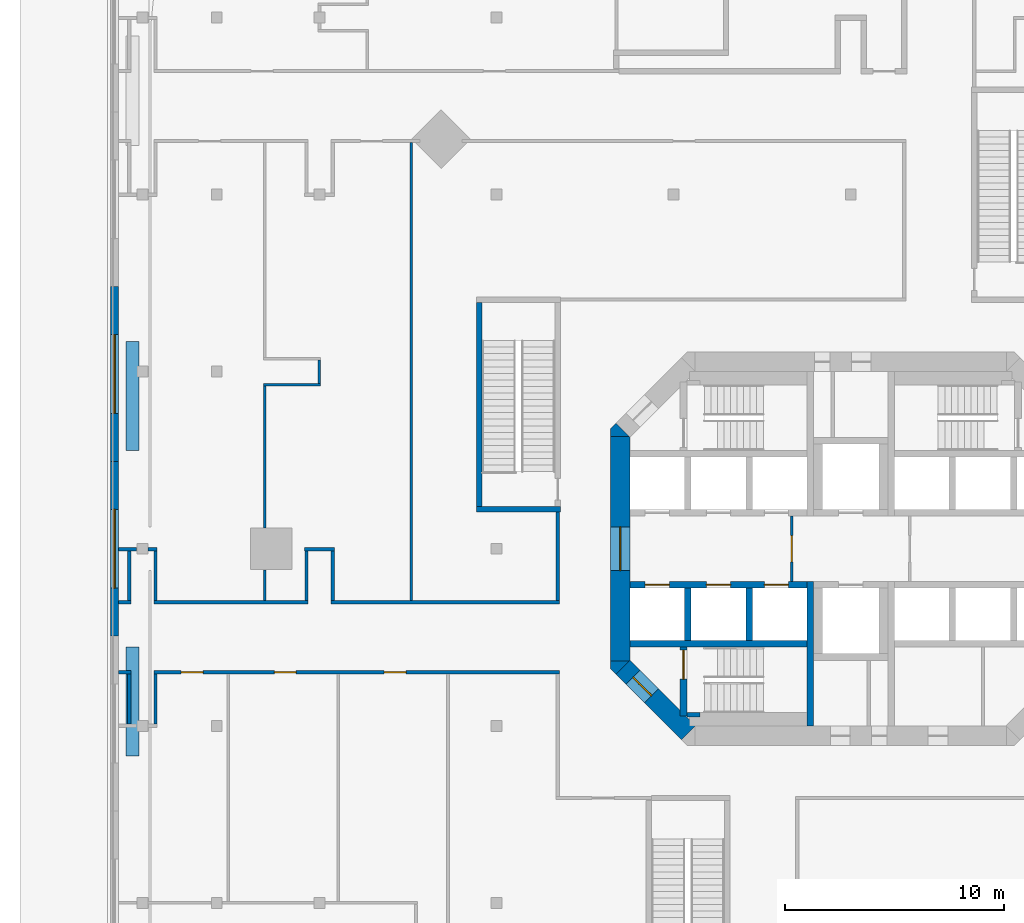
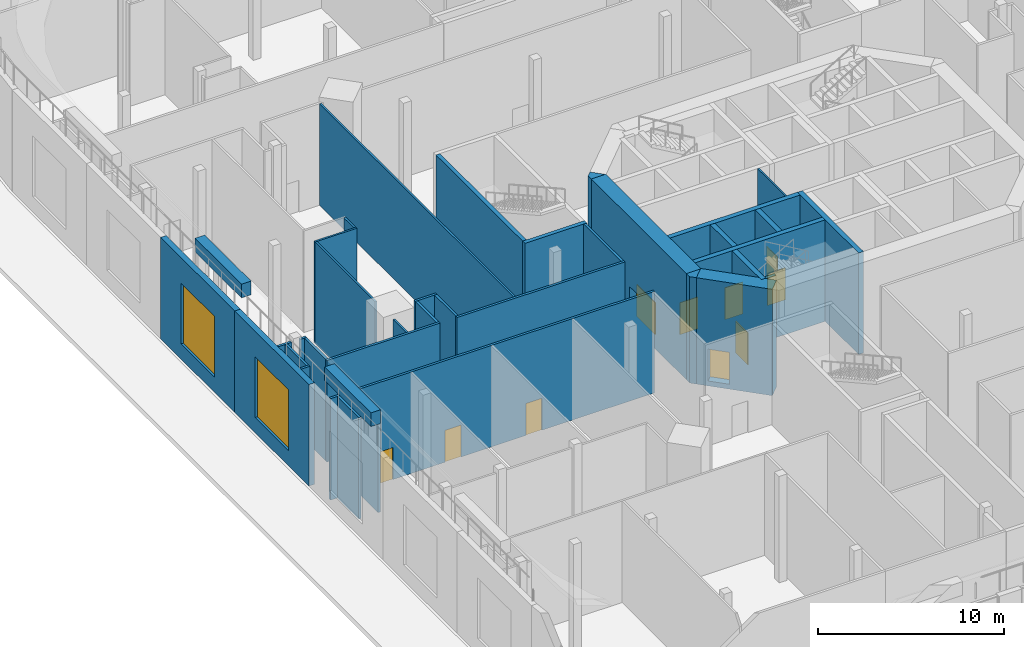
# One storey, part 8 of 21: 38 walls, 10 doors, 2 windows, 12 openings.
"""IFC4 building model written with IfcOpenShell, lengths in metres."""

from ifc_helpers import new_model, si_unit, direction, frame, frame_2d, origin, place, context, subcontext, project, spatial, polyline, rectangle, outline, extrude, material, layer, layer_set, type_object, element, fill, save


model = new_model("IFC4")

# Units and contexts
model_context = context("Model", 3, precision=1e-05, world=origin(), true_north=direction((0.0, 1.0)))
body_context = subcontext(model_context, "Body", "Model", "MODEL_VIEW")
ifc_project = project(units=[si_unit("LENGTHUNIT", "METRE"), si_unit("AREAUNIT", "SQUARE_METRE"), si_unit("VOLUMEUNIT", "CUBIC_METRE"), si_unit("PLANEANGLEUNIT", "RADIAN"), si_unit("MASSUNIT", "GRAM", prefix="KILO")], contexts=[model_context])

# Site, building, storey
site_placement = place(None, origin())
site = spatial("IfcSite", under=ifc_project, at=site_placement, CompositionType="ELEMENT")
building_placement = place(site_placement, origin())
building = spatial("IfcBuilding", under=site, at=building_placement, Name="Torre Triforio", CompositionType="ELEMENT")
storey_placement = place(building_placement, frame((0.0, 0.0, 6.0)))
storey = spatial("IfcBuildingStorey", under=building, at=storey_placement, Name="L01", CompositionType="ELEMENT", Elevation=6.0)

# Wall
ifc_material_1 = material(Name="Concrete C60", Category="concrete")
ifc_layer_1 = layer(ifc_material_1, 0.300048828125)
ifc_layer_set_1 = layer_set([ifc_layer_1], Name="Concrete C60")
wall_type_1 = type_object("IfcWallType", Name="Core wall 300 mm C60 EI 120", PredefinedType="SHEAR", material=ifc_layer_set_1)
wall_1_placement = place(storey_placement, frame((-1.85009765625, -8.10009765625, 0.0), z_axis=(0.0, 0.0, 1.0), x_axis=(0.0, 1.0, 0.0)))
element("IfcWall", 1, at=wall_1_placement, inside=storey, type_object=wall_type_1, Name="Core wall", PredefinedType="SHEAR", context=body_context, shape_type="SweptSolid", body=[
    extrude(rectangle(XDim=6.60009765625, YDim=0.300048828125, at=frame_2d((3.300048828125, 0.0))), origin(), (0.0, 0.0, 1.0), 6.679931640625),
])

# Wall, opening, door
ifc_layer_2 = layer(ifc_material_1, 0.89990234375)
ifc_layer_set_2 = layer_set([ifc_layer_2], Name="Concrete C60")
wall_type_2 = type_object("IfcWallType", Name="Core wall 900 mm C60 EI 120", PredefinedType="SHEAR", material=ifc_layer_set_2)
wall_2_placement = place(storey_placement, frame((-10.550048828125, -5.1298828125, -0.320068359375), z_axis=(0.0, 0.0, 1.0), x_axis=(0.0, 1.0, 0.0)))
wall_2 = element("IfcWall", 2, at=wall_2_placement, inside=storey, type_object=wall_type_2, Name="Core wall", PredefinedType="SHEAR", context=body_context, shape_type="SweptSolid", body=[
    extrude(rectangle(XDim=10.259765625, YDim=0.89990234375, at=frame_2d((5.1298828125, 0.0))), origin(), (0.0, 0.0, 1.0), 7.0),
])
opening_1_placement = place(wall_2_placement, frame((4.1298828125, 0.0, 0.320068359375)))
opening_1 = element("IfcOpeningElement", 3, at=opening_1_placement, cuts=wall_2, Name="Opening W-RING", PredefinedType="OPENING", context=body_context, shape_type="SweptSolid", body=[
    extrude(rectangle(XDim=2.0, YDim=2.10009765625, at=frame_2d((1.0, 1.050048828125))), frame((0.0, 0.4599609375, 0.0), z_axis=(0.0, -1.0, 0.0), x_axis=(1.0, 0.0, 0.0)), (0.0, 0.0, 1.0), 0.919921875),
])
ifc_material_2 = material(Name="Hollow metal fire door leaf")
door_type_1 = type_object("IfcDoorType", Name="Lobby door 2000 x 2100 EI 60", OperationType="DOUBLE_DOOR_SINGLE_SWING", PredefinedType="DOOR", material=ifc_material_2)
door_1_placement = place(opening_1_placement, origin())
door_1 = element("IfcDoor", 4, at=door_1_placement, inside=storey, type_object=door_type_1, Name="Core door W-RING", OperationType="DOUBLE_DOOR_SINGLE_SWING", OverallHeight=2.10009765625, OverallWidth=2.0, PredefinedType="DOOR", context=body_context, shape_type="SweptSolid", body=[
    extrude(rectangle(XDim=2.0, YDim=2.10009765625, at=frame_2d((1.0, 1.050048828125))), frame((0.0, 0.02490234375, 0.0), z_axis=(0.0, -1.0, 0.0), x_axis=(1.0, 0.0, 0.0)), (0.0, 0.0, 1.0), 0.050048828125),
])
fill(opening_1, door_1)

wall_3_placement = place(storey_placement, frame((-7.418212890625, -8.418212890625, -0.320068359375), z_axis=(0.0, 0.0, 1.0), x_axis=(-0.707106781187, 0.707106781187, 0.0)))
wall_3 = element("IfcWall", 5, at=wall_3_placement, inside=storey, type_object=wall_type_2, Name="Core wall", PredefinedType="SHEAR", context=body_context, shape_type="SweptSolid", body=[
    extrude(rectangle(XDim=4.24267578125, YDim=0.89990234375, at=frame_2d((2.121337890625, 0.0))), origin(), (0.0, 0.0, 1.0), 7.0),
])
opening_2_placement = place(wall_3_placement, frame((2.392578125, 0.0, 0.320068359375)))
opening_2 = element("IfcOpeningElement", 6, at=opening_2_placement, cuts=wall_3, Name="Opening ST3-EXIT", PredefinedType="OPENING", context=body_context, shape_type="SweptSolid", body=[
    extrude(rectangle(XDim=1.199951171875, YDim=2.10009765625, at=frame_2d((0.60009765625, 1.050048828125))), frame((0.0, 0.4599609375, 0.0), z_axis=(0.0, -1.0, 0.0), x_axis=(1.0, 0.0, 0.0)), (0.0, 0.0, 1.0), 0.919921875),
])
door_type_2 = type_object("IfcDoorType", Name="Stair lobby door 1200 x 2100 EI 60", OperationType="NOTDEFINED", PredefinedType="DOOR", material=ifc_material_2)
door_2_placement = place(opening_2_placement, origin())
door_2 = element("IfcDoor", 7, at=door_2_placement, inside=storey, type_object=door_type_2, Name="Core door ST3-EXIT", OperationType="SINGLE_SWING_RIGHT", OverallHeight=2.10009765625, OverallWidth=1.199951171875, PredefinedType="DOOR", context=body_context, shape_type="SweptSolid", body=[
    extrude(rectangle(XDim=1.199951171875, YDim=2.10009765625, at=frame_2d((0.60009765625, 1.050048828125))), frame((0.0, 0.02490234375, 0.0), z_axis=(0.0, -1.0, 0.0), x_axis=(1.0, 0.0, 0.0)), (0.0, 0.0, 1.0), 0.050048828125),
])
fill(opening_2, door_2)

# Walls
wall_4_placement = place(storey_placement, frame((0.0, 0.0, -0.320068359375)))
element("IfcWall", 8, at=wall_4_placement, inside=storey, type_object=wall_type_2, Name="Core wall", PredefinedType="SHEAR", context=body_context, shape_type="SweptSolid", body=[
    extrude(outline(polyline([(-11.0, -5.472900390625), (-11.0, -5.1298828125), (-10.1298828125, -5.1298828125), (-10.736328125, -5.736328125), (-11.0, -5.472900390625)])), origin(), (0.0, 0.0, 1.0), 7.0),
])
wall_5_placement = place(storey_placement, frame((0.0, 0.0, -0.320068359375)))
element("IfcWall", 9, at=wall_5_placement, inside=storey, type_object=wall_type_2, Name="Core wall", PredefinedType="SHEAR", context=body_context, shape_type="SweptSolid", body=[
    extrude(outline(polyline([(-10.736328125, 5.736328125), (-10.1298828125, 5.1298828125), (-11.0, 5.1298828125), (-11.0, 5.472900390625), (-10.736328125, 5.736328125)])), origin(), (0.0, 0.0, 1.0), 7.0),
])
ifc_material_3 = material(Name="Plasterboard on metal studs")
ifc_layer_3 = layer(ifc_material_3, 0.14990234375)
ifc_layer_set_3 = layer_set([ifc_layer_3], Name="Plasterboard on metal studs")
wall_type_3 = type_object("IfcWallType", Name="Corridor wall 150 EI 60", PredefinedType="PARTITIONING", material=ifc_layer_set_3)
wall_6_placement = place(storey_placement, frame((-33.5, -5.64990234375, 0.0), z_axis=(0.0, 0.0, 1.0), x_axis=(1.0, 0.0, 0.0)))
element("IfcWall", 10, at=wall_6_placement, inside=storey, type_object=wall_type_3, Name="Corridor wall L01 050", PredefinedType="PARTITIONING", context=body_context, shape_type="SweptSolid", body=[
    extrude(rectangle(XDim=0.574951171875, YDim=0.14990234375, at=frame_2d((0.28759765625, 0.0))), origin(), (0.0, 0.0, 1.0), 6.679931640625),
])

# Wall, openings, doors
wall_7_placement = place(storey_placement, frame((-31.875, -5.64990234375, 0.0), z_axis=(0.0, 0.0, 1.0), x_axis=(1.0, 0.0, 0.0)))
wall_7 = element("IfcWall", 11, at=wall_7_placement, inside=storey, type_object=wall_type_3, Name="Corridor wall L01 051", PredefinedType="PARTITIONING", context=body_context, shape_type="SweptSolid", body=[
    extrude(rectangle(XDim=18.550048828125, YDim=0.14990234375, at=frame_2d((9.27490234375, 0.0))), origin(), (0.0, 0.0, 1.0), 6.679931640625),
])
opening_3_placement = place(wall_7_placement, frame((1.25, 0.0, 0.0)))
opening_3 = element("IfcOpeningElement", 12, at=opening_3_placement, cuts=wall_7, Name="Opening P1-53", PredefinedType="OPENING", context=body_context, shape_type="SweptSolid", body=[
    extrude(rectangle(XDim=1.0, YDim=2.10009765625, at=frame_2d((0.5, 1.050048828125))), frame((0.0, 0.0849609375, 0.0), z_axis=(0.0, -1.0, 0.0), x_axis=(1.0, 0.0, 0.0)), (0.0, 0.0, 1.0), 0.169921875),
])
opening_4_placement = place(wall_7_placement, frame((5.510009765625, 0.0, 0.0)))
opening_4 = element("IfcOpeningElement", 13, at=opening_4_placement, cuts=wall_7, Name="Opening P1-54", PredefinedType="OPENING", context=body_context, shape_type="SweptSolid", body=[
    extrude(rectangle(XDim=1.0, YDim=2.10009765625, at=frame_2d((0.5, 1.050048828125))), frame((0.0, 0.0849609375, 0.0), z_axis=(0.0, -1.0, 0.0), x_axis=(1.0, 0.0, 0.0)), (0.0, 0.0, 1.0), 0.169921875),
])
opening_5_placement = place(wall_7_placement, frame((10.534912109375, 0.0, 0.0)))
opening_5 = element("IfcOpeningElement", 14, at=opening_5_placement, cuts=wall_7, Name="Opening P1-55", PredefinedType="OPENING", context=body_context, shape_type="SweptSolid", body=[
    extrude(rectangle(XDim=1.0, YDim=2.10009765625, at=frame_2d((0.5, 1.050048828125))), frame((0.0, 0.0849609375, 0.0), z_axis=(0.0, -1.0, 0.0), x_axis=(1.0, 0.0, 0.0)), (0.0, 0.0, 1.0), 0.169921875),
])
ifc_material_4 = material(Name="Timber door leaf", Category="wood")
door_type_3 = type_object("IfcDoorType", Name="Single door 1000 x 2100 EI 30", OperationType="NOTDEFINED", PredefinedType="DOOR", material=ifc_material_4)
door_3_placement = place(opening_3_placement, origin())
door_3 = element("IfcDoor", 15, at=door_3_placement, inside=storey, type_object=door_type_3, Name="Door P1-53", OperationType="SINGLE_SWING_LEFT", OverallHeight=2.10009765625, OverallWidth=1.0, PredefinedType="DOOR", context=body_context, shape_type="SweptSolid", body=[
    extrude(rectangle(XDim=1.0, YDim=2.10009765625, at=frame_2d((0.5, 1.050048828125))), frame((0.0, 0.02490234375, 0.0), z_axis=(0.0, -1.0, 0.0), x_axis=(1.0, 0.0, 0.0)), (0.0, 0.0, 1.0), 0.050048828125),
])
fill(opening_3, door_3)
door_4_placement = place(opening_4_placement, origin())
door_4 = element("IfcDoor", 16, at=door_4_placement, inside=storey, type_object=door_type_3, Name="Door P1-54", OperationType="SINGLE_SWING_LEFT", OverallHeight=2.10009765625, OverallWidth=1.0, PredefinedType="DOOR", context=body_context, shape_type="SweptSolid", body=[
    extrude(rectangle(XDim=1.0, YDim=2.10009765625, at=frame_2d((0.5, 1.050048828125))), frame((0.0, 0.02490234375, 0.0), z_axis=(0.0, -1.0, 0.0), x_axis=(1.0, 0.0, 0.0)), (0.0, 0.0, 1.0), 0.050048828125),
])
fill(opening_4, door_4)
door_5_placement = place(opening_5_placement, origin())
door_5 = element("IfcDoor", 17, at=door_5_placement, inside=storey, type_object=door_type_3, Name="Door P1-55", OperationType="SINGLE_SWING_LEFT", OverallHeight=2.10009765625, OverallWidth=1.0, PredefinedType="DOOR", context=body_context, shape_type="SweptSolid", body=[
    extrude(rectangle(XDim=1.0, YDim=2.10009765625, at=frame_2d((0.5, 1.050048828125))), frame((0.0, 0.02490234375, 0.0), z_axis=(0.0, -1.0, 0.0), x_axis=(1.0, 0.0, 0.0)), (0.0, 0.0, 1.0), 0.050048828125),
])
fill(opening_5, door_5)

# Walls
for number, where, z_axis, x_axis, name in (
    (18, (-33.0, -8.02490234375, 0.0), (0.0, 0.0, 1.0), (0.0, 1.0, 0.0), "Corridor wall L01 052"),
    (19, (-31.800048828125, -8.02490234375, 0.0), (0.0, 0.0, 1.0), (0.0, 1.0, 0.0), "Corridor wall L01 053"),
):
    element("IfcWall", number, at=place(storey_placement, frame(where, z_axis=z_axis, x_axis=x_axis)), inside=storey, type_object=wall_type_3, Name=name, PredefinedType="PARTITIONING", context=body_context, shape_type="SweptSolid", body=[
        extrude(rectangle(XDim=2.2998046875, YDim=0.14990234375, at=frame_2d((1.14990234375, 0.0))), origin(), (0.0, 0.0, 1.0), 6.679931640625),
    ])
wall_8_placement = place(storey_placement, frame((-13.39990234375, -2.375, 0.0), z_axis=(0.0, 0.0, 1.0), x_axis=(0.0, 1.0, 0.0)))
element("IfcWall", 20, at=wall_8_placement, inside=storey, type_object=wall_type_3, Name="Corridor wall L01 207", PredefinedType="PARTITIONING", context=body_context, shape_type="SweptSolid", body=[
    extrude(rectangle(XDim=4.050048828125, YDim=0.14990234375, at=frame_2d((2.02490234375, 0.0))), origin(), (0.0, 0.0, 1.0), 6.679931640625),
])
wall_9_placement = place(storey_placement, frame((-33.5, -2.449951171875, 0.0), z_axis=(0.0, 0.0, 1.0), x_axis=(1.0, 0.0, 0.0)))
element("IfcWall", 21, at=wall_9_placement, inside=storey, type_object=wall_type_3, Name="Corridor wall L01 243", PredefinedType="PARTITIONING", context=body_context, shape_type="SweptSolid", body=[
    extrude(rectangle(XDim=0.574951171875, YDim=0.14990234375, at=frame_2d((0.28759765625, 0.0))), origin(), (0.0, 0.0, 1.0), 6.679931640625),
])
wall_10_placement = place(storey_placement, frame((-31.875, -2.449951171875, 0.0), z_axis=(0.0, 0.0, 1.0), x_axis=(1.0, 0.0, 0.0)))
element("IfcWall", 22, at=wall_10_placement, inside=storey, type_object=wall_type_3, Name="Corridor wall L01 244", PredefinedType="PARTITIONING", context=body_context, shape_type="SweptSolid", body=[
    extrude(rectangle(XDim=7.050048828125, YDim=0.14990234375, at=frame_2d((3.52490234375, 0.0))), origin(), (0.0, 0.0, 1.0), 6.679931640625),
])
wall_11_placement = place(storey_placement, frame((-33.489990234375, -0.02001953125, 0.0), z_axis=(0.0, 0.0, 1.0), x_axis=(1.0, 0.0, 0.0)))
element("IfcWall", 23, at=wall_11_placement, inside=storey, type_object=wall_type_3, Name="Corridor wall L01 245", PredefinedType="PARTITIONING", context=body_context, shape_type="SweptSolid", body=[
    extrude(rectangle(XDim=0.830078125, YDim=0.14990234375, at=frame_2d((0.4150390625, 0.0))), origin(), (0.0, 0.0, 1.0), 6.679931640625),
])
wall_12_placement = place(storey_placement, frame((-32.139892578125, -0.02001953125, 0.0), z_axis=(0.0, 0.0, 1.0), x_axis=(1.0, 0.0, 0.0)))
element("IfcWall", 24, at=wall_12_placement, inside=storey, type_object=wall_type_3, Name="Corridor wall L01 246", PredefinedType="PARTITIONING", context=body_context, shape_type="SweptSolid", body=[
    extrude(rectangle(XDim=0.414794921875, YDim=0.14990234375, at=frame_2d((0.20751953125, 0.0))), origin(), (0.0, 0.0, 1.0), 6.679931640625),
])
for number, where, z_axis, x_axis, name in (
    (25, (-33.0, -2.375, 0.0), (0.0, 0.0, 1.0), (0.0, 1.0, 0.0), "Corridor wall L01 247"),
    (26, (-31.800048828125, -2.375, 0.0), (0.0, 0.0, 1.0), (0.0, 1.0, 0.0), "Corridor wall L01 248"),
):
    element("IfcWall", number, at=place(storey_placement, frame(where, z_axis=z_axis, x_axis=x_axis)), inside=storey, type_object=wall_type_3, Name=name, PredefinedType="PARTITIONING", context=body_context, shape_type="SweptSolid", body=[
        extrude(rectangle(XDim=2.280029296875, YDim=0.14990234375, at=frame_2d((1.14013671875, 0.0))), origin(), (0.0, 0.0, 1.0), 6.679931640625),
    ])
wall_13_placement = place(storey_placement, frame((-23.77490234375, -2.449951171875, 0.0), z_axis=(0.0, 0.0, 1.0), x_axis=(1.0, 0.0, 0.0)))
element("IfcWall", 27, at=wall_13_placement, inside=storey, type_object=wall_type_3, Name="Corridor wall L01 250", PredefinedType="PARTITIONING", context=body_context, shape_type="SweptSolid", body=[
    extrude(rectangle(XDim=10.449951171875, YDim=0.14990234375, at=frame_2d((5.22509765625, 0.0))), origin(), (0.0, 0.0, 1.0), 6.679931640625),
])
wall_14_placement = place(storey_placement, frame((-24.97509765625, -0.02001953125, 0.0), z_axis=(0.0, 0.0, 1.0), x_axis=(1.0, 0.0, 0.0)))
element("IfcWall", 28, at=wall_14_placement, inside=storey, type_object=wall_type_3, Name="Corridor wall L01 251", PredefinedType="PARTITIONING", context=body_context, shape_type="SweptSolid", body=[
    extrude(rectangle(XDim=1.35009765625, YDim=0.14990234375, at=frame_2d((0.675048828125, 0.0))), origin(), (0.0, 0.0, 1.0), 6.679931640625),
])
for number, where, z_axis, x_axis, name in (
    (29, (-24.89990234375, -2.375, 0.0), (0.0, 0.0, 1.0), (0.0, 1.0, 0.0), "Corridor wall L01 252"),
    (30, (-23.699951171875, -2.375, 0.0), (0.0, 0.0, 1.0), (0.0, 1.0, 0.0), "Corridor wall L01 253"),
):
    element("IfcWall", number, at=place(storey_placement, frame(where, z_axis=z_axis, x_axis=x_axis)), inside=storey, type_object=wall_type_3, Name=name, PredefinedType="PARTITIONING", context=body_context, shape_type="SweptSolid", body=[
        extrude(rectangle(XDim=2.280029296875, YDim=0.14990234375, at=frame_2d((1.14013671875, 0.0))), origin(), (0.0, 0.0, 1.0), 6.679931640625),
    ])

# Wall, opening, door
ifc_material_5 = material(Name="Block and board partition")
ifc_layer_4 = layer(ifc_material_5, 0.10009765625)
ifc_layer_set_4 = layer_set([ifc_layer_4], Name="Block and board partition")
wall_type_4 = type_object("IfcWallType", Name="Partition 100 mm EI 120", PredefinedType="PARTITIONING", material=ifc_layer_set_4)
wall_15_placement = place(storey_placement, frame((-2.699951171875, -1.5, 0.0), z_axis=(0.0, 0.0, 1.0), x_axis=(0.0, 1.0, 0.0)))
wall_15 = element("IfcWall", 31, at=wall_15_placement, inside=storey, type_object=wall_type_4, Name="Partition", PredefinedType="PARTITIONING", context=body_context, shape_type="SweptSolid", body=[
    extrude(rectangle(XDim=3.0, YDim=0.10009765625, at=frame_2d((1.5, 0.0))), origin(), (0.0, 0.0, 1.0), 6.679931640625),
])
opening_6_placement = place(wall_15_placement, frame((0.89990234375, 0.0, 0.0)))
opening_6 = element("IfcOpeningElement", 32, at=opening_6_placement, cuts=wall_15, Name="Opening FF-W", PredefinedType="OPENING", context=body_context, shape_type="SweptSolid", body=[
    extrude(rectangle(XDim=1.199951171875, YDim=2.10009765625, at=frame_2d((0.60009765625, 1.050048828125))), frame((0.0, 0.06005859375, 0.0), z_axis=(0.0, -1.0, 0.0), x_axis=(1.0, 0.0, 0.0)), (0.0, 0.0, 1.0), 0.1201171875),
])
door_type_4 = type_object("IfcDoorType", Name="Fire-fighting lobby door 1200 x 2100 EI 60", OperationType="NOTDEFINED", PredefinedType="DOOR", material=ifc_material_2)
door_6_placement = place(opening_6_placement, origin())
door_6 = element("IfcDoor", 33, at=door_6_placement, inside=storey, type_object=door_type_4, Name="Core door FF-W", OperationType="SINGLE_SWING_LEFT", OverallHeight=2.10009765625, OverallWidth=1.199951171875, PredefinedType="DOOR", context=body_context, shape_type="SweptSolid", body=[
    extrude(rectangle(XDim=1.199951171875, YDim=2.10009765625, at=frame_2d((0.60009765625, 1.050048828125))), frame((0.0, 0.02490234375, 0.0), z_axis=(0.0, -1.0, 0.0), x_axis=(1.0, 0.0, 0.0)), (0.0, 0.0, 1.0), 0.050048828125),
])
fill(opening_6, door_6)

# Walls
ifc_layer_5 = layer(ifc_material_3, 0.1201171875)
ifc_layer_set_5 = layer_set([ifc_layer_5], Name="Plasterboard on metal studs")
wall_type_5 = type_object("IfcWallType", Name="Partition 120", PredefinedType="PARTITIONING", material=ifc_layer_set_5)
wall_16_placement = place(storey_placement, frame((-26.860107421875, 7.5, 0.0), z_axis=(0.0, 0.0, 1.0), x_axis=(1.0, 0.0, 0.0)))
element("IfcWall", 34, at=wall_16_placement, inside=storey, type_object=wall_type_5, Name="Partition L01 237", PredefinedType="PARTITIONING", context=body_context, shape_type="SweptSolid", body=[
    extrude(rectangle(XDim=2.60009765625, YDim=0.1201171875, at=frame_2d((1.300048828125, 0.0))), origin(), (0.0, 0.0, 1.0), 6.679931640625),
])
wall_17_placement = place(storey_placement, frame((-26.800048828125, -2.375, 0.0), z_axis=(0.0, 0.0, 1.0), x_axis=(0.0, 1.0, 0.0)))
element("IfcWall", 35, at=wall_17_placement, inside=storey, type_object=wall_type_5, Name="Partition L01 239", PredefinedType="PARTITIONING", context=body_context, shape_type="SweptSolid", body=[
    extrude(rectangle(XDim=1.4150390625, YDim=0.1201171875, at=frame_2d((0.70751953125, 0.0))), origin(), (0.0, 0.0, 1.0), 6.679931640625),
])
wall_18_placement = place(storey_placement, frame((-26.800048828125, 0.9599609375, 0.0), z_axis=(0.0, 0.0, 1.0), x_axis=(0.0, 1.0, 0.0)))
element("IfcWall", 36, at=wall_18_placement, inside=storey, type_object=wall_type_5, Name="Partition L01 240", PredefinedType="PARTITIONING", context=body_context, shape_type="SweptSolid", body=[
    extrude(rectangle(XDim=6.47998046875, YDim=0.1201171875, at=frame_2d((3.239990234375, 0.0))), origin(), (0.0, 0.0, 1.0), 6.679931640625),
])
wall_19_placement = place(storey_placement, frame((-24.320068359375, 7.56005859375, 0.0), z_axis=(0.0, 0.0, 1.0), x_axis=(0.0, 1.0, 0.0)))
element("IfcWall", 37, at=wall_19_placement, inside=storey, type_object=wall_type_5, Name="Partition L01 242", PredefinedType="PARTITIONING", context=body_context, shape_type="SweptSolid", body=[
    extrude(rectangle(XDim=1.079833984375, YDim=0.1201171875, at=frame_2d((0.5400390625, 0.0))), origin(), (0.0, 0.0, 1.0), 6.679931640625),
])
wall_20_placement = place(storey_placement, frame((-20.10009765625, -2.375, 0.0), z_axis=(0.0, 0.0, 1.0), x_axis=(0.0, 1.0, 0.0)))
element("IfcWall", 38, at=wall_20_placement, inside=storey, type_object=wall_type_5, Name="Partition L01 249", PredefinedType="PARTITIONING", context=body_context, shape_type="SweptSolid", body=[
    extrude(rectangle(XDim=20.949951171875, YDim=0.1201171875, at=frame_2d((10.47509765625, 0.0))), origin(), (0.0, 0.0, 1.0), 6.679931640625),
])
ifc_layer_6 = layer(ifc_material_1, 0.300048828125)
ifc_layer_set_6 = layer_set([ifc_layer_6], Name="Concrete C60")
wall_type_6 = type_object("IfcWallType", Name="Shaft wall 300 mm C60 EI 120", PredefinedType="SOLIDWALL", material=ifc_layer_set_6)
wall_21_placement = place(storey_placement, frame((-10.10009765625, -4.35009765625, 0.0), z_axis=(0.0, 0.0, 1.0), x_axis=(1.0, 0.0, 0.0)))
element("IfcWall", 39, at=wall_21_placement, inside=storey, type_object=wall_type_6, Name="Shaft wall", PredefinedType="SOLIDWALL", context=body_context, shape_type="SweptSolid", body=[
    extrude(rectangle(XDim=8.10009765625, YDim=0.300048828125, at=frame_2d((4.050048828125, 0.0))), origin(), (0.0, 0.0, 1.0), 6.679931640625),
])

# Wall, openings, doors
wall_22_placement = place(storey_placement, frame((-10.10009765625, -1.64990234375, 0.0), z_axis=(0.0, 0.0, 1.0), x_axis=(1.0, 0.0, 0.0)))
wall_22 = element("IfcWall", 40, at=wall_22_placement, inside=storey, type_object=wall_type_6, Name="Shaft wall", PredefinedType="SOLIDWALL", context=body_context, shape_type="SweptSolid", body=[
    extrude(rectangle(XDim=8.10009765625, YDim=0.300048828125, at=frame_2d((4.050048828125, 0.0))), origin(), (0.0, 0.0, 1.0), 6.679931640625),
])
opening_7_placement = place(wall_22_placement, frame((0.699951171875, 0.0, 0.0)))
opening_7 = element("IfcOpeningElement", 41, at=opening_7_placement, cuts=wall_22, Name="Opening LD", PredefinedType="OPENING", context=body_context, shape_type="SweptSolid", body=[
    extrude(rectangle(XDim=1.10009765625, YDim=2.10009765625, at=frame_2d((0.550048828125, 1.050048828125))), frame((0.0, 0.159912109375, 0.0), z_axis=(0.0, -1.0, 0.0), x_axis=(1.0, 0.0, 0.0)), (0.0, 0.0, 1.0), 0.320068359375),
])
opening_8_placement = place(wall_22_placement, frame((3.5, 0.0, 0.0)))
opening_8 = element("IfcOpeningElement", 42, at=opening_8_placement, cuts=wall_22, Name="Opening LD", PredefinedType="OPENING", context=body_context, shape_type="SweptSolid", body=[
    extrude(rectangle(XDim=1.10009765625, YDim=2.10009765625, at=frame_2d((0.550048828125, 1.050048828125))), frame((0.0, 0.159912109375, 0.0), z_axis=(0.0, -1.0, 0.0), x_axis=(1.0, 0.0, 0.0)), (0.0, 0.0, 1.0), 0.320068359375),
])
opening_9_placement = place(wall_22_placement, frame((6.14990234375, 0.0, 0.0)))
opening_9 = element("IfcOpeningElement", 43, at=opening_9_placement, cuts=wall_22, Name="Opening LD", PredefinedType="OPENING", context=body_context, shape_type="SweptSolid", body=[
    extrude(rectangle(XDim=1.10009765625, YDim=2.10009765625, at=frame_2d((0.550048828125, 1.050048828125))), frame((0.0, 0.159912109375, 0.0), z_axis=(0.0, -1.0, 0.0), x_axis=(1.0, 0.0, 0.0)), (0.0, 0.0, 1.0), 0.320068359375),
])
door_type_5 = type_object("IfcDoorType", Name="Landing door 1100 x 2100 EI 60", OperationType="DOUBLE_DOOR_SLIDING", PredefinedType="DOOR", material=ifc_material_2)
door_7_placement = place(opening_7_placement, origin())
door_7 = element("IfcDoor", 44, at=door_7_placement, inside=storey, type_object=door_type_5, Name="Landing door LR4", OperationType="DOUBLE_DOOR_SLIDING", OverallHeight=2.10009765625, OverallWidth=1.10009765625, PredefinedType="DOOR", context=body_context, shape_type="SweptSolid", body=[
    extrude(rectangle(XDim=1.10009765625, YDim=2.10009765625, at=frame_2d((0.550048828125, 1.050048828125))), frame((0.0, 0.02490234375, 0.0), z_axis=(0.0, -1.0, 0.0), x_axis=(1.0, 0.0, 0.0)), (0.0, 0.0, 1.0), 0.050048828125),
])
fill(opening_7, door_7)
door_8_placement = place(opening_8_placement, origin())
door_8 = element("IfcDoor", 45, at=door_8_placement, inside=storey, type_object=door_type_5, Name="Landing door LR5", OperationType="DOUBLE_DOOR_SLIDING", OverallHeight=2.10009765625, OverallWidth=1.10009765625, PredefinedType="DOOR", context=body_context, shape_type="SweptSolid", body=[
    extrude(rectangle(XDim=1.10009765625, YDim=2.10009765625, at=frame_2d((0.550048828125, 1.050048828125))), frame((0.0, 0.02490234375, 0.0), z_axis=(0.0, -1.0, 0.0), x_axis=(1.0, 0.0, 0.0)), (0.0, 0.0, 1.0), 0.050048828125),
])
fill(opening_8, door_8)
door_9_placement = place(opening_9_placement, origin())
door_9 = element("IfcDoor", 46, at=door_9_placement, inside=storey, type_object=door_type_5, Name="Landing door LR6", OperationType="DOUBLE_DOOR_SLIDING", OverallHeight=2.10009765625, OverallWidth=1.10009765625, PredefinedType="DOOR", context=body_context, shape_type="SweptSolid", body=[
    extrude(rectangle(XDim=1.10009765625, YDim=2.10009765625, at=frame_2d((0.550048828125, 1.050048828125))), frame((0.0, 0.02490234375, 0.0), z_axis=(0.0, -1.0, 0.0), x_axis=(1.0, 0.0, 0.0)), (0.0, 0.0, 1.0), 0.050048828125),
])
fill(opening_9, door_9)

# Walls
for number, where, z_axis, x_axis, name in (
    (47, (-7.449951171875, -4.199951171875, 0.0), (0.0, 0.0, 1.0), (0.0, 1.0, 0.0), "Shaft wall"),
    (48, (-4.64990234375, -4.199951171875, 0.0), (0.0, 0.0, 1.0), (0.0, 1.0, 0.0), "Shaft wall"),
):
    element("IfcWall", number, at=place(storey_placement, frame(where, z_axis=z_axis, x_axis=x_axis)), inside=storey, type_object=wall_type_6, Name=name, PredefinedType="SOLIDWALL", context=body_context, shape_type="SweptSolid", body=[
        extrude(rectangle(XDim=2.39990234375, YDim=0.300048828125, at=frame_2d((1.199951171875, 0.0))), origin(), (0.0, 0.0, 1.0), 6.679931640625),
    ])
ifc_material_6 = material(Name="Concrete C40", Category="concrete")
ifc_layer_7 = layer(ifc_material_6, 0.25)
ifc_layer_set_7 = layer_set([ifc_layer_7], Name="Concrete C40")
wall_type_7 = type_object("IfcWallType", Name="Stair enclosure wall 250 EI 120", PredefinedType="STANDARD", material=ifc_layer_set_7)
wall_23_placement = place(storey_placement, frame((-17.125, 1.800048828125, 0.0), z_axis=(0.0, 0.0, 1.0), x_axis=(1.0, 0.0, 0.0)))
element("IfcWall", 49, at=wall_23_placement, inside=storey, type_object=wall_type_7, Name="Stair enclosure wall L01 192", PredefinedType="STANDARD", context=body_context, shape_type="SweptSolid", body=[
    extrude(rectangle(XDim=3.85009765625, YDim=0.25, at=frame_2d((1.925048828125, 0.0))), origin(), (0.0, 0.0, 1.0), 6.679931640625),
])
wall_24_placement = place(storey_placement, frame((-17.0, 1.925048828125, 0.0), z_axis=(0.0, 0.0, 1.0), x_axis=(0.0, 1.0, 0.0)))
element("IfcWall", 50, at=wall_24_placement, inside=storey, type_object=wall_type_7, Name="Stair enclosure wall L01 194", PredefinedType="STANDARD", context=body_context, shape_type="SweptSolid", body=[
    extrude(rectangle(XDim=9.349853515625, YDim=0.25, at=frame_2d((4.6748046875, 0.0))), origin(), (0.0, 0.0, 1.0), 6.679931640625),
])
ifc_layer_8 = layer(ifc_material_1, 0.199951171875)
ifc_layer_set_8 = layer_set([ifc_layer_8], Name="Concrete C60")
wall_type_8 = type_object("IfcWallType", Name="Stair wall 200 mm C60 EI 120", PredefinedType="SHEAR", material=ifc_layer_set_8)
wall_25_placement = place(storey_placement, frame((-7.5, -7.60009765625, 0.0), z_axis=(0.0, 0.0, 1.0), x_axis=(1.0, 0.0, 0.0)))
element("IfcWall", 51, at=wall_25_placement, inside=storey, type_object=wall_type_8, Name="Stair wall", PredefinedType="SHEAR", context=body_context, shape_type="SweptSolid", body=[
    extrude(rectangle(XDim=0.60009765625, YDim=0.199951171875, at=frame_2d((0.300048828125, 0.0))), origin(), (0.0, 0.0, 1.0), 6.679931640625),
])

# Wall, opening, door
ifc_layer_9 = layer(ifc_material_1, 0.300048828125)
ifc_layer_set_9 = layer_set([ifc_layer_9], Name="Concrete C60")
wall_type_9 = type_object("IfcWallType", Name="Stair wall 300 mm C60 EI 120", PredefinedType="SHEAR", material=ifc_layer_set_9)
wall_26_placement = place(storey_placement, frame((-7.64990234375, -7.639892578125, 0.0), z_axis=(0.0, 0.0, 1.0), x_axis=(0.0, 1.0, 0.0)))
wall_26 = element("IfcWall", 52, at=wall_26_placement, inside=storey, type_object=wall_type_9, Name="Stair wall", PredefinedType="SHEAR", context=body_context, shape_type="SweptSolid", body=[
    extrude(rectangle(XDim=3.139892578125, YDim=0.300048828125, at=frame_2d((1.56982421875, 0.0))), origin(), (0.0, 0.0, 1.0), 6.679931640625),
])
opening_10_placement = place(wall_26_placement, frame((1.679931640625, 0.0, 0.0)))
opening_10 = element("IfcOpeningElement", 53, at=opening_10_placement, cuts=wall_26, Name="Opening ST3-STA", PredefinedType="OPENING", context=body_context, shape_type="SweptSolid", body=[
    extrude(rectangle(XDim=1.320068359375, YDim=2.10009765625, at=frame_2d((0.66015625, 1.050048828125))), frame((0.0, 0.159912109375, 0.0), z_axis=(0.0, -1.0, 0.0), x_axis=(1.0, 0.0, 0.0)), (0.0, 0.0, 1.0), 0.320068359375),
])
door_type_6 = type_object("IfcDoorType", Name="Stair door 1320 x 2100 EI 90", OperationType="DOUBLE_DOOR_SINGLE_SWING", PredefinedType="DOOR", material=ifc_material_2)
door_10_placement = place(opening_10_placement, origin())
door_10 = element("IfcDoor", 54, at=door_10_placement, inside=storey, type_object=door_type_6, Name="Core door ST3-ST", OperationType="DOUBLE_DOOR_SINGLE_SWING", OverallHeight=2.10009765625, OverallWidth=1.320068359375, PredefinedType="DOOR", context=body_context, shape_type="SweptSolid", body=[
    extrude(rectangle(XDim=1.320068359375, YDim=2.10009765625, at=frame_2d((0.66015625, 1.050048828125))), frame((0.0, 0.02490234375, 0.0), z_axis=(0.0, -1.0, 0.0), x_axis=(1.0, 0.0, 0.0)), (0.0, 0.0, 1.0), 0.050048828125),
])
fill(opening_10, door_10)

# Wall, opening, window
ifc_material_7 = material(Name="Limestone cladding", Category="masonry")
ifc_layer_10 = layer(ifc_material_7, 0.10009765625)
ifc_layer_11 = layer(ifc_material_6, 0.25)
ifc_layer_set_10 = layer_set([ifc_layer_10, ifc_layer_11], Name="Limestone cladding / Concrete C40")
wall_type_10 = type_object("IfcWallType", Name="Stone-clad podium wall 350", PredefinedType="STANDARD", material=ifc_layer_set_10)
wall_27_placement = place(storey_placement, frame((-33.675048828125, 11.9931640625, 0.0), z_axis=(0.0, 0.0, 1.0), x_axis=(0.0, -1.0, 0.0)))
wall_27 = element("IfcWall", 55, at=wall_27_placement, inside=storey, type_object=wall_type_10, Name="External wall L01 e26.0.w2", PredefinedType="STANDARD", context=body_context, shape_type="SweptSolid", body=[
    extrude(rectangle(XDim=7.995361328125, YDim=0.35009765625, at=frame_2d((3.99755859375, 0.0))), origin(), (0.0, 0.0, 1.0), 6.679931640625),
])
opening_11_placement = place(wall_27_placement, frame((2.19775390625, 0.0, 1.0)))
opening_11 = element("IfcOpeningElement", 56, at=opening_11_placement, cuts=wall_27, Name="Opening P1-W16", PredefinedType="OPENING", context=body_context, shape_type="SweptSolid", body=[
    extrude(rectangle(XDim=3.60009765625, YDim=4.0, at=frame_2d((1.800048828125, 2.0))), frame((0.0, 0.18505859375, 0.0), z_axis=(0.0, -1.0, 0.0), x_axis=(1.0, 0.0, 0.0)), (0.0, 0.0, 1.0), 0.3701171875),
])
ifc_material_8 = material(Name="Aluminium frame with clear double glazing", Category="aluminium")
window_type = type_object("IfcWindowType", Name="Podium window 3600 x 4000", PartitioningType="DOUBLE_PANEL_VERTICAL", PredefinedType="WINDOW", material=ifc_material_8)
window_1_placement = place(opening_11_placement, origin())
window_1 = element("IfcWindow", 57, at=window_1_placement, inside=storey, type_object=window_type, Name="Window L01 e26.0.w2", OverallHeight=4.0, OverallWidth=3.60009765625, PartitioningType="SINGLE_PANEL", PredefinedType="WINDOW", context=body_context, shape_type="SweptSolid", body=[
    extrude(rectangle(XDim=3.60009765625, YDim=4.0, at=frame_2d((1.800048828125, 2.0))), frame((0.0, 0.030029296875, 0.0), z_axis=(0.0, -1.0, 0.0), x_axis=(1.0, 0.0, 0.0)), (0.0, 0.0, 1.0), 0.06005859375),
])
fill(opening_11, window_1)

wall_28_placement = place(storey_placement, frame((-33.675048828125, 3.997802734375, 0.0), z_axis=(0.0, 0.0, 1.0), x_axis=(0.0, -1.0, 0.0)))
wall_28 = element("IfcWall", 58, at=wall_28_placement, inside=storey, type_object=wall_type_10, Name="External wall L01 e26.0.w3", PredefinedType="STANDARD", context=body_context, shape_type="SweptSolid", body=[
    extrude(rectangle(XDim=7.99560546875, YDim=0.35009765625, at=frame_2d((3.997802734375, 0.0))), origin(), (0.0, 0.0, 1.0), 6.679931640625),
])
opening_12_placement = place(wall_28_placement, frame((2.19775390625, 0.0, 1.0)))
opening_12 = element("IfcOpeningElement", 59, at=opening_12_placement, cuts=wall_28, Name="Opening P1-W17", PredefinedType="OPENING", context=body_context, shape_type="SweptSolid", body=[
    extrude(rectangle(XDim=3.60009765625, YDim=4.0, at=frame_2d((1.800048828125, 2.0))), frame((0.0, 0.18505859375, 0.0), z_axis=(0.0, -1.0, 0.0), x_axis=(1.0, 0.0, 0.0)), (0.0, 0.0, 1.0), 0.3701171875),
])
window_2_placement = place(opening_12_placement, origin())
window_2 = element("IfcWindow", 60, at=window_2_placement, inside=storey, type_object=window_type, Name="Window L01 e26.0.w3", OverallHeight=4.0, OverallWidth=3.60009765625, PartitioningType="SINGLE_PANEL", PredefinedType="WINDOW", context=body_context, shape_type="SweptSolid", body=[
    extrude(rectangle(XDim=3.60009765625, YDim=4.0, at=frame_2d((1.800048828125, 2.0))), frame((0.0, 0.030029296875, 0.0), z_axis=(0.0, -1.0, 0.0), x_axis=(1.0, 0.0, 0.0)), (0.0, 0.0, 1.0), 0.06005859375),
])
fill(opening_12, window_2)

# Walls
ifc_layer_12 = layer(ifc_material_7, 0.10009765625)
ifc_layer_13 = layer(ifc_material_6, 0.5)
ifc_layer_set_11 = layer_set([ifc_layer_12, ifc_layer_13], Name="Limestone cladding / Concrete C40")
wall_type_11 = type_object("IfcWallType", Name="Terrace planter wall 600", PredefinedType="PARAPET", material=ifc_layer_set_11)
for number, where, z_axis, x_axis, name in (
    (61, (-32.85009765625, 9.48583984375, 7.0), (0.0, 0.0, 1.0), (0.0, -1.0, 0.0), "Terrace T2 planter 27.2"),
    (62, (-32.85009765625, -4.48583984375, 7.0), (0.0, 0.0, 1.0), (0.0, -1.0, 0.0), "Terrace T2 planter 27.3"),
):
    element("IfcWall", number, at=place(storey_placement, frame(where, z_axis=z_axis, x_axis=x_axis)), inside=storey, type_object=wall_type_11, Name=name, PredefinedType="PARAPET", context=body_context, shape_type="SweptSolid", body=[
        extrude(rectangle(XDim=5.0, YDim=0.60009765625, at=frame_2d((2.5, 0.0))), origin(), (0.0, 0.0, 1.0), 0.89990234375),
    ])

save(model, "model.ifc")
